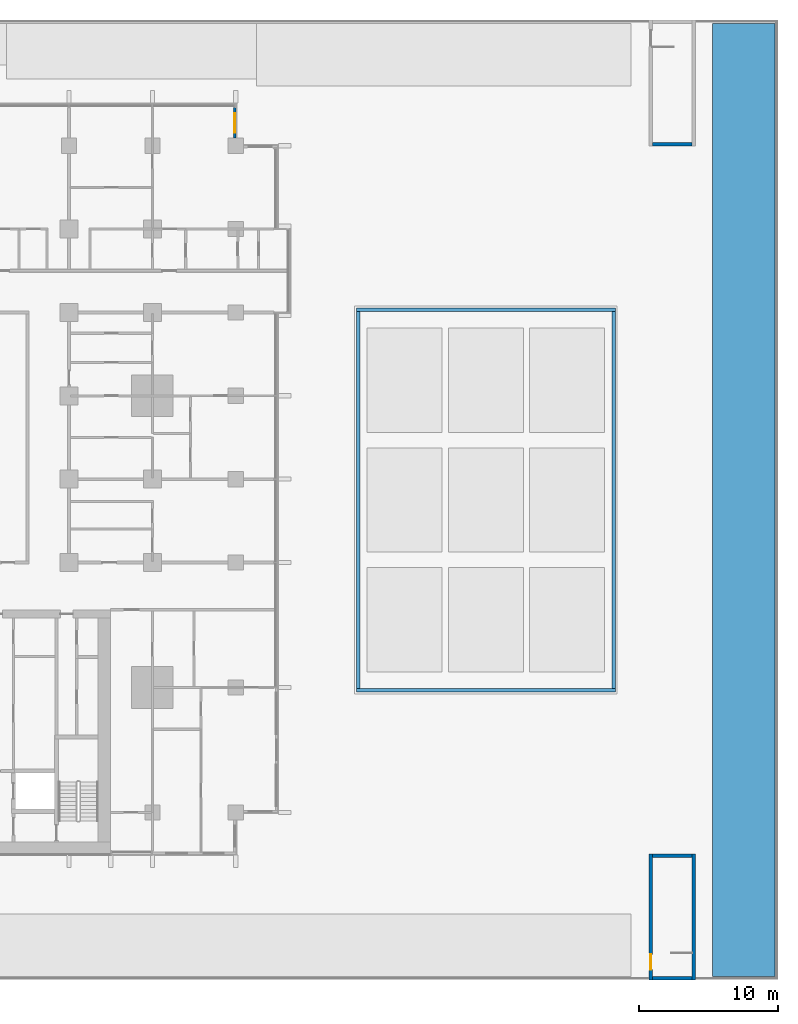
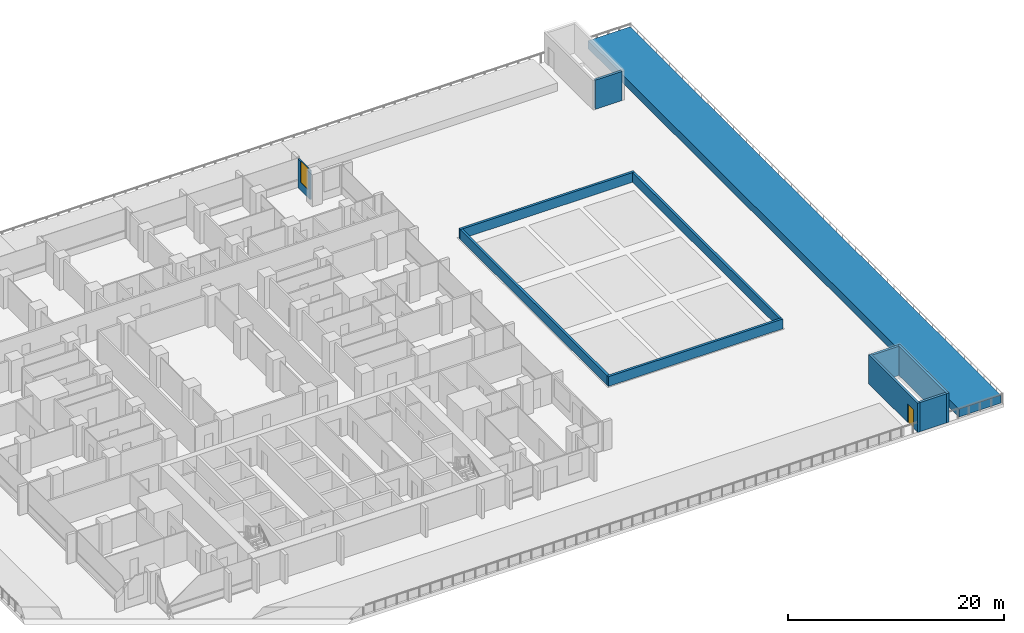
# One storey, part 16 of 25: 11 walls, 1 door, 1 window, 2 openings.
"""IFC4 building model written with IfcOpenShell, lengths in metres."""

from ifc_helpers import new_model, si_unit, direction, frame, frame_2d, origin, place, context, subcontext, project, spatial, rectangle, extrude, material, layer, layer_set, type_object, element, fill, save


model = new_model("IFC4")

# Units and contexts
model_context = context("Model", 3, precision=1e-05, world=origin(), true_north=direction((0.0, 1.0)))
body_context = subcontext(model_context, "Body", "Model", "MODEL_VIEW")
ifc_project = project(units=[si_unit("LENGTHUNIT", "METRE"), si_unit("AREAUNIT", "SQUARE_METRE"), si_unit("VOLUMEUNIT", "CUBIC_METRE"), si_unit("PLANEANGLEUNIT", "RADIAN"), si_unit("MASSUNIT", "GRAM", prefix="KILO")], contexts=[model_context])

# Site, building, storey
site_placement = place(None, origin())
site = spatial("IfcSite", under=ifc_project, at=site_placement, CompositionType="ELEMENT")
building_placement = place(site_placement, origin())
building = spatial("IfcBuilding", under=site, at=building_placement, Name="Finial Court Residences", CompositionType="ELEMENT")
storey_placement = place(building_placement, frame((0.0, 0.0, 32.5)))
storey = spatial("IfcBuildingStorey", under=building, at=storey_placement, Name="L06", CompositionType="ELEMENT", Elevation=32.5)

# Wall, opening, window
ifc_material_1 = material(Name="Natural limestone", Category="masonry")
ifc_layer_1 = layer(ifc_material_1, 0.14990234375)
ifc_layer_set_1 = layer_set([ifc_layer_1], Name="Limestone clad wall 150")
wall_type_1 = type_object("IfcWallType", Name="Limestone clad wall 150", PredefinedType="SOLIDWALL", material=ifc_layer_set_1)
wall_1_placement = place(storey_placement, frame((22.425048828125, 28.25, 0.0), z_axis=(0.0, 0.0, 1.0), x_axis=(0.0, -1.0, 0.0)))
wall_1 = element("IfcWall", 1, at=wall_1_placement, inside=storey, type_object=wall_type_1, Name="E-L06-NWE18", PredefinedType="SOLIDWALL", context=body_context, shape_type="SweptSolid", body=[
    extrude(rectangle(XDim=2.199951171875, YDim=0.14990234375, at=frame_2d((1.10009765625, 0.0))), origin(), (0.0, 0.0, 1.0), 3.300048828125),
])
opening_1_placement = place(wall_1_placement, frame((0.39990234375, 0.0, 0.89990234375)))
opening_1 = element("IfcOpeningElement", 2, at=opening_1_placement, cuts=wall_1, Name="Opening WE06-07", PredefinedType="OPENING", context=body_context, shape_type="SweptSolid", body=[
    extrude(rectangle(XDim=1.39990234375, YDim=2.39990234375, at=frame_2d((0.699951171875, 1.199951171875))), frame((0.0, 0.0849609375, 0.0), z_axis=(0.0, -1.0, 0.0), x_axis=(1.0, 0.0, 0.0)), (0.0, 0.0, 1.0), 0.169921875),
])
ifc_material_2 = material(Name="Clear low-e glass", Category="glass")
window_type = type_object("IfcWindowType", Name="Corner window 1400 x 2400", PartitioningType="SINGLE_PANEL", PredefinedType="WINDOW", material=ifc_material_2)
window_placement = place(opening_1_placement, origin())
window = element("IfcWindow", 3, at=window_placement, inside=storey, type_object=window_type, Name="E-L06-NWE18-W1", OverallHeight=2.39990234375, OverallWidth=1.39990234375, PartitioningType="SINGLE_PANEL", PredefinedType="WINDOW", context=body_context, shape_type="SweptSolid", body=[
    extrude(rectangle(XDim=1.39990234375, YDim=2.39990234375, at=frame_2d((0.699951171875, 1.199951171875))), frame((0.0, 0.030029296875, 0.0), z_axis=(0.0, -1.0, 0.0), x_axis=(1.0, 0.0, 0.0)), (0.0, 0.0, 1.0), 0.06005859375),
])
fill(opening_1, window)

# Walls
ifc_material_3 = material(Name="Concrete C40/50", Category="concrete")
ifc_layer_2 = layer(ifc_material_3, 0.199951171875)
ifc_material_4 = material(Name="Planting soil", Category="soil")
ifc_layer_3 = layer(ifc_material_4, 4.10009765625)
ifc_layer_4 = layer(ifc_material_3, 0.199951171875)
ifc_layer_set_2 = layer_set([ifc_layer_2, ifc_layer_3, ifc_layer_4], Name="Planter wall, terrace 4500")
wall_type_2 = type_object("IfcWallType", Name="Planter wall, terrace 4500", PredefinedType="USERDEFINED", material=ifc_layer_set_2)
wall_2_placement = place(storey_placement, frame((59.050048828125, -34.300048828125, 0.0), z_axis=(0.0, 0.0, 1.0), x_axis=(0.0, 1.0, 0.0)))
element("IfcWall", 4, at=wall_2_placement, inside=storey, type_object=wall_type_2, Name="E-L06-TER1-PL3", ObjectType="PLANTER", PredefinedType="USERDEFINED", context=body_context, shape_type="SweptSolid", body=[
    extrude(rectangle(XDim=68.60009765625, YDim=4.5, at=frame_2d((34.300048828125, 0.0))), origin(), (0.0, 0.0, 1.0), 0.89990234375),
])
ifc_material_5 = material(Name="Concrete C35/45", Category="concrete")
ifc_layer_5 = layer(ifc_material_5, 0.25)
ifc_layer_set_3 = layer_set([ifc_layer_5], Name="Roof parapet, Concrete C35/45 250")
wall_type_3 = type_object("IfcWallType", Name="Roof parapet, Concrete C35/45 250", PredefinedType="PARAPET", material=ifc_layer_set_3)
for number, where, z_axis, x_axis, name in (
    (5, (31.175048828125, -13.699951171875, 0.0), (0.0, 0.0, 1.0), (1.0, 0.0, 0.0), "Atrium rooflight kerb"),
    (6, (31.175048828125, 13.699951171875, 0.0), (0.0, 0.0, 1.0), (1.0, 0.0, 0.0), "Atrium rooflight kerb"),
):
    element("IfcWall", number, at=place(storey_placement, frame(where, z_axis=z_axis, x_axis=x_axis)), inside=storey, type_object=wall_type_3, Name=name, PredefinedType="PARAPET", context=body_context, shape_type="SweptSolid", body=[
        extrude(rectangle(XDim=18.64990234375, YDim=0.25, at=frame_2d((9.324951171875, 0.0))), origin(), (0.0, 0.0, 1.0), 1.10009765625),
    ])
for number, where, z_axis, x_axis, name in (
    (7, (31.300048828125, -13.574951171875, 0.0), (0.0, 0.0, 1.0), (0.0, 1.0, 0.0), "Atrium rooflight kerb"),
    (8, (49.699951171875, -13.574951171875, 0.0), (0.0, 0.0, 1.0), (0.0, 1.0, 0.0), "Atrium rooflight kerb"),
):
    element("IfcWall", number, at=place(storey_placement, frame(where, z_axis=z_axis, x_axis=x_axis)), inside=storey, type_object=wall_type_3, Name=name, PredefinedType="PARAPET", context=body_context, shape_type="SweptSolid", body=[
        extrude(rectangle(XDim=27.14990234375, YDim=0.25, at=frame_2d((13.574951171875, 0.0))), origin(), (0.0, 0.0, 1.0), 1.10009765625),
    ])

# Wall, opening, door
ifc_material_6 = material(Name="Concrete C50/60", Category="concrete")
ifc_layer_6 = layer(ifc_material_6, 0.25)
ifc_layer_set_4 = layer_set([ifc_layer_6], Name="Stair head-house wall 250 Concrete C50/60")
wall_type_4 = type_object("IfcWallType", Name="Stair head-house wall 250 Concrete C50/60", PredefinedType="SHEAR", material=ifc_layer_set_4)
wall_3_placement = place(storey_placement, frame((52.375, -34.550048828125, 0.0), z_axis=(0.0, 0.0, 1.0), x_axis=(0.0, 1.0, 0.0)))
wall_3 = element("IfcWall", 9, at=wall_3_placement, inside=storey, type_object=wall_type_4, Name="Exit Stair 3 head-house wall W", PredefinedType="SHEAR", context=body_context, shape_type="SweptSolid", body=[
    extrude(rectangle(XDim=9.080078125, YDim=0.25, at=frame_2d((4.5400390625, 0.0))), origin(), (0.0, 0.0, 1.0), 3.300048828125),
])
opening_2_placement = place(wall_3_placement, frame((0.75, 0.0, 0.0)))
opening_2 = element("IfcOpeningElement", 10, at=opening_2_placement, cuts=wall_3, Name="Opening ST-3-HH", PredefinedType="OPENING", context=body_context, shape_type="SweptSolid", body=[
    extrude(rectangle(XDim=1.10009765625, YDim=2.10009765625, at=frame_2d((0.550048828125, 1.050048828125))), frame((0.0, 0.135009765625, 0.0), z_axis=(0.0, -1.0, 0.0), x_axis=(1.0, 0.0, 0.0)), (0.0, 0.0, 1.0), 0.27001953125),
])
ifc_material_7 = material(Name="Steel fire door", Category="steel")
door_type = type_object("IfcDoorType", Name="Stair door 1100 x 2100 EI 90", OperationType="NOTDEFINED", PredefinedType="DOOR", material=ifc_material_7)
door_placement = place(opening_2_placement, origin())
door = element("IfcDoor", 11, at=door_placement, inside=storey, type_object=door_type, Name="Exit Stair 3 terrace door", OperationType="SINGLE_SWING_LEFT", OverallHeight=2.10009765625, OverallWidth=1.10009765625, PredefinedType="DOOR", context=body_context, shape_type="SweptSolid", body=[
    extrude(rectangle(XDim=1.10009765625, YDim=2.10009765625, at=frame_2d((0.550048828125, 1.050048828125))), frame((0.0, 0.02490234375, 0.0), z_axis=(0.0, -1.0, 0.0), x_axis=(1.0, 0.0, 0.0)), (0.0, 0.0, 1.0), 0.050048828125),
])
fill(opening_2, door)

# Walls
wall_4_placement = place(storey_placement, frame((55.47509765625, -34.550048828125, 0.0), z_axis=(0.0, 0.0, 1.0), x_axis=(0.0, 1.0, 0.0)))
element("IfcWall", 12, at=wall_4_placement, inside=storey, type_object=wall_type_4, Name="Exit Stair 3 head-house wall E", PredefinedType="SHEAR", context=body_context, shape_type="SweptSolid", body=[
    extrude(rectangle(XDim=9.080078125, YDim=0.25, at=frame_2d((4.5400390625, 0.0))), origin(), (0.0, 0.0, 1.0), 3.300048828125),
])
for number, where, z_axis, x_axis, name in (
    (13, (52.5, -25.594970703125, 0.0), (0.0, 0.0, 1.0), (1.0, 0.0, 0.0), "Exit Stair 3 head-house wall N"),
    (14, (52.5, -34.425048828125, 0.0), (0.0, 0.0, 1.0), (1.0, 0.0, 0.0), "Exit Stair 3 head-house wall S"),
    (15, (52.5, 25.594970703125, 0.0), (0.0, 0.0, 1.0), (1.0, 0.0, 0.0), "Exit Stair 5 head-house wall S"),
):
    element("IfcWall", number, at=place(storey_placement, frame(where, z_axis=z_axis, x_axis=x_axis)), inside=storey, type_object=wall_type_4, Name=name, PredefinedType="SHEAR", context=body_context, shape_type="SweptSolid", body=[
        extrude(rectangle(XDim=2.85009765625, YDim=0.25, at=frame_2d((1.425048828125, 0.0))), origin(), (0.0, 0.0, 1.0), 3.300048828125),
    ])

save(model, "model.ifc")
